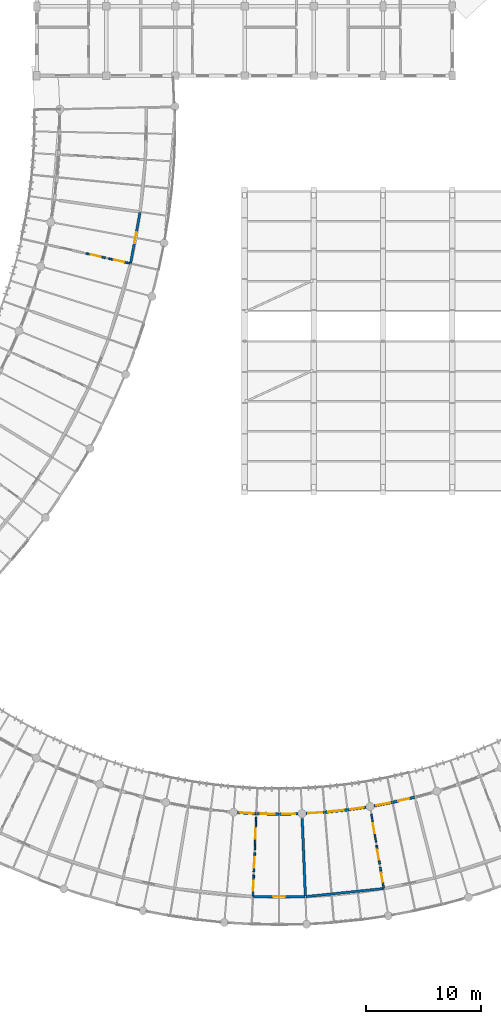
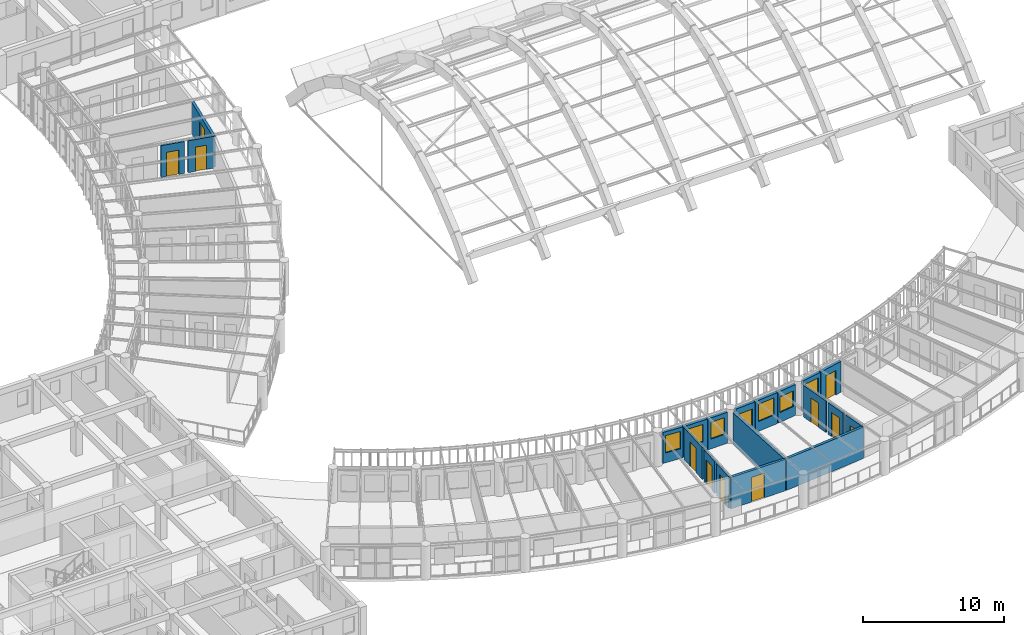
# One storey, part 81 of 123: 20 walls, 12 doors, 6 windows, 18 openings.
"""IFC4 building model written with IfcOpenShell, lengths in metres."""

from ifc_helpers import new_model, si_unit, direction, frame, frame_2d, origin, place, context, subcontext, project, spatial, rectangle, extrude, material, layer, layer_set, type_object, element, fill, save


model = new_model("IFC4")

# Units and contexts
model_context = context("Model", 3, precision=1e-05, world=origin(), true_north=direction((0.0, 1.0)))
body_context = subcontext(model_context, "Body", "Model", "MODEL_VIEW")
ifc_project = project(units=[si_unit("LENGTHUNIT", "METRE"), si_unit("AREAUNIT", "SQUARE_METRE"), si_unit("VOLUMEUNIT", "CUBIC_METRE"), si_unit("PLANEANGLEUNIT", "RADIAN"), si_unit("MASSUNIT", "GRAM", prefix="KILO"), si_unit("POWERUNIT", "WATT"), si_unit("THERMODYNAMICTEMPERATUREUNIT", "KELVIN")], contexts=[model_context])

# Site, building, storey
site_placement = place(None, origin())
site = spatial("IfcSite", under=ifc_project, at=site_placement, CompositionType="ELEMENT")
building_placement = place(site_placement, origin())
building = spatial("IfcBuilding", under=site, at=building_placement, Name="Ruvembo Vaulted Housing Court", CompositionType="ELEMENT")
storey_placement = place(building_placement, frame((0.0, 0.0, 7.699951171875)))
storey = spatial("IfcBuildingStorey", under=building, at=storey_placement, Name="L02", CompositionType="ELEMENT", Elevation=7.699951171875)

# Wall, opening, door
ifc_material_1 = material(Name="Concrete Blockwork 210", Category="masonry")
ifc_layer_1 = layer(ifc_material_1, 0.2099609375, Name="Concrete Blockwork 210")
ifc_layer_set_1 = layer_set([ifc_layer_1], Name="Concrete Blockwork 210")
wall_type_1 = type_object("IfcWallType", Name="WL-CORR-210", PredefinedType="SOLIDWALL", material=ifc_layer_set_1)
wall_1_placement = place(storey_placement, frame((56.131591796875, 61.759765625, 0.0), z_axis=(0.0, 0.0, 1.0), x_axis=(0.181159647639, 0.983453701029, 0.0)))
wall_1 = element("IfcWall", 1, at=wall_1_placement, inside=storey, type_object=wall_type_1, Name="L02 Suite SC1-L02-U3 Entrance WL-INT-L02-00695", PredefinedType="SOLIDWALL", context=body_context, shape_type="SweptSolid", body=[
    extrude(rectangle(XDim=4.467529296875, YDim=0.2099609375, at=frame_2d((2.23388671875, 0.0))), origin(), (0.0, 0.0, 1.0), 2.72216796875),
])
opening_1_placement = place(wall_1_placement, frame((1.74365234375, 0.0, 0.0)))
opening_1 = element("IfcOpeningElement", 2, at=opening_1_placement, cuts=wall_1, Name="Opening FD2", PredefinedType="OPENING", context=body_context, shape_type="SweptSolid", body=[
    extrude(rectangle(XDim=0.97998046875, YDim=2.14990234375, at=frame_2d((0.489990234375, 1.074951171875))), frame((0.0, 0.114990234375, 0.0), z_axis=(0.0, -1.0, 0.0), x_axis=(1.0, 0.0, 0.0)), (0.0, 0.0, 1.0), 0.22998046875),
])
ifc_material_2 = material(Name="FSC Hardwood and Engineered Timber", Category="wood")
door_type_1 = type_object("IfcDoorType", Name="DR-FLAT-0980x2150", OperationType="NOTDEFINED", PredefinedType="DOOR", material=ifc_material_2)
door_1_placement = place(opening_1_placement, origin())
door_1 = element("IfcDoor", 3, at=door_1_placement, inside=storey, type_object=door_type_1, Name="L02 Suite SC1-L02-U3 Entrance Door DR-INT-L02-00376", OperationType="SINGLE_SWING_RIGHT", OverallHeight=2.14990234375, OverallWidth=0.97998046875, PredefinedType="DOOR", context=body_context, shape_type="SweptSolid", body=[
    extrude(rectangle(XDim=0.97998046875, YDim=2.14990234375, at=frame_2d((0.489990234375, 1.074951171875))), frame((0.0, 0.02490234375, 0.0), z_axis=(0.0, -1.0, 0.0), x_axis=(1.0, 0.0, 0.0)), (0.0, 0.0, 1.0), 0.050048828125),
])
fill(opening_1, door_1)

wall_2_placement = place(storey_placement, frame((66.763427734375, 6.846923828125, 0.0), z_axis=(0.0, 0.0, 1.0), x_axis=(1.0, 0.0, 0.0)))
wall_2 = element("IfcWall", 4, at=wall_2_placement, inside=storey, type_object=wall_type_1, Name="L02 Suite SC2-L02-U3 Entrance WL-INT-L02-00718", PredefinedType="SOLIDWALL", context=body_context, shape_type="SweptSolid", body=[
    extrude(rectangle(XDim=4.47314453125, YDim=0.2099609375, at=frame_2d((2.236572265625, 0.0))), origin(), (0.0, 0.0, 1.0), 2.72216796875),
])
opening_2_placement = place(wall_2_placement, frame((1.71142578125, 0.0, 0.0)))
opening_2 = element("IfcOpeningElement", 5, at=opening_2_placement, cuts=wall_2, Name="Opening FD3", PredefinedType="OPENING", context=body_context, shape_type="SweptSolid", body=[
    extrude(rectangle(XDim=1.050048828125, YDim=2.14990234375, at=frame_2d((0.52490234375, 1.074951171875))), frame((0.0, 0.114990234375, 0.0), z_axis=(0.0, -1.0, 0.0), x_axis=(1.0, 0.0, 0.0)), (0.0, 0.0, 1.0), 0.22998046875),
])
door_type_2 = type_object("IfcDoorType", Name="DR-FLAT-1050x2150", OperationType="NOTDEFINED", PredefinedType="DOOR", material=ifc_material_2)
door_2_placement = place(opening_2_placement, origin())
door_2 = element("IfcDoor", 6, at=door_2_placement, inside=storey, type_object=door_type_2, Name="L02 Suite SC2-L02-U3 Entrance Door DR-INT-L02-00392", OperationType="SINGLE_SWING_RIGHT", OverallHeight=2.14990234375, OverallWidth=1.050048828125, PredefinedType="DOOR", context=body_context, shape_type="SweptSolid", body=[
    extrude(rectangle(XDim=1.050048828125, YDim=2.14990234375, at=frame_2d((0.52490234375, 1.074951171875))), frame((0.0, 0.02490234375, 0.0), z_axis=(0.0, -1.0, 0.0), x_axis=(1.0, 0.0, 0.0)), (0.0, 0.0, 1.0), 0.050048828125),
])
fill(opening_2, door_2)

# Walls
wall_3_placement = place(storey_placement, frame((71.31640625, 6.85107421875, 0.0), z_axis=(0.0, 0.0, 1.0), x_axis=(0.994686939686, 0.10294606364, 0.0)))
element("IfcWall", 7, at=wall_3_placement, inside=storey, type_object=wall_type_1, Name="L02 Suite SC2-L02-U4 Gallery Wall WL-INT-L02-00723", PredefinedType="SOLIDWALL", context=body_context, shape_type="SweptSolid", body=[
    extrude(rectangle(XDim=6.7470703125, YDim=0.2099609375, at=frame_2d((3.37353515625, 0.0))), origin(), (0.0, 0.0, 1.0), 2.72216796875),
])
ifc_material_3 = material(Name="Acoustic Masonry Demising 220", Category="masonry")
ifc_layer_2 = layer(ifc_material_3, 0.219970703125, Name="Acoustic Masonry Demising 220")
ifc_layer_set_2 = layer_set([ifc_layer_2], Name="Acoustic Masonry Demising 220")
wall_type_2 = type_object("IfcWallType", Name="WL-DEM-200", PredefinedType="SOLIDWALL", material=ifc_layer_set_2)
wall_4_placement = place(storey_placement, frame((70.9970703125, 13.6171875, 0.0), z_axis=(0.0, 0.0, 1.0), x_axis=(0.04124611243, -0.999149017019, 0.0)))
element("IfcWall", 8, at=wall_4_placement, inside=storey, type_object=wall_type_2, Name="L02 Suite SC2-L02-U3 Demising WL-INT-L02-00722", PredefinedType="SOLIDWALL", context=body_context, shape_type="SweptSolid", body=[
    extrude(rectangle(XDim=6.73583984375, YDim=0.219970703125, at=frame_2d((3.367919921875, 0.0))), origin(), (0.0, 0.0, 1.0), 2.741943359375),
])

# Wall, opening, window
ifc_material_4 = material(Name="Rendered Masonry 235", Category="masonry")
ifc_layer_3 = layer(ifc_material_4, 0.235107421875, Name="Rendered Masonry 235")
ifc_layer_set_3 = layer_set([ifc_layer_3], Name="Rendered Masonry 235")
wall_type_3 = type_object("IfcWallType", Name="WL-EXT-235", PredefinedType="STANDARD", material=ifc_layer_set_3)
wall_5_placement = place(storey_placement, frame((65.3935546875, 14.1416015625, 0.0), z_axis=(0.0, 0.0, 1.0), x_axis=(0.998084310064, -0.061868489594, 0.0)))
wall_5 = element("IfcWall", 9, at=wall_5_placement, inside=storey, type_object=wall_type_3, Name="Scoop SC2 L02 Concave Balcony Wall 12", PredefinedType="STANDARD", context=body_context, shape_type="SweptSolid", body=[
    extrude(rectangle(XDim=1.610107421875, YDim=0.235107421875, at=frame_2d((0.80517578125, 0.0))), origin(), (0.0, 0.0, 1.0), 2.68408203125),
])
opening_3_placement = place(wall_5_placement, frame((0.205078125, 0.0, 0.85009765625)))
opening_3 = element("IfcOpeningElement", 10, at=opening_3_placement, cuts=wall_5, Name="Opening W14", PredefinedType="OPENING", context=body_context, shape_type="SweptSolid", body=[
    extrude(rectangle(XDim=1.199951171875, YDim=1.5, at=frame_2d((0.60009765625, 0.75))), frame((0.0, 0.12744140625, 0.0), z_axis=(0.0, -1.0, 0.0), x_axis=(1.0, 0.0, 0.0)), (0.0, 0.0, 1.0), 0.255126953125),
])
ifc_material_5 = material(Name="Double Solar-Control Glazing in Aluminium Frame", Category="aluminium")
window_type_1 = type_object("IfcWindowType", Name="WIN-1200x1500", PartitioningType="SINGLE_PANEL", PredefinedType="WINDOW", material=ifc_material_5)
window_1_placement = place(opening_3_placement, origin())
window_1 = element("IfcWindow", 11, at=window_1_placement, inside=storey, type_object=window_type_1, Name="Scoop SC2 L02 Concave Window 12", OverallHeight=1.5, OverallWidth=1.199951171875, PartitioningType="SINGLE_PANEL", PredefinedType="WINDOW", context=body_context, shape_type="SweptSolid", body=[
    extrude(rectangle(XDim=1.199951171875, YDim=1.5, at=frame_2d((0.60009765625, 0.75))), frame((0.0, 0.030029296875, 0.0), z_axis=(0.0, -1.0, 0.0), x_axis=(1.0, 0.0, 0.0)), (0.0, 0.0, 1.0), 0.06005859375),
])
fill(opening_3, window_1)

wall_6_placement = place(storey_placement, frame((67.040283203125, 14.040283203125, 0.0), z_axis=(0.0, 0.0, 1.0), x_axis=(0.999789612304, -0.020511731505, 0.0)))
wall_6 = element("IfcWall", 12, at=wall_6_placement, inside=storey, type_object=wall_type_3, Name="Scoop SC2 L02 Concave Balcony Wall 13", PredefinedType="STANDARD", context=body_context, shape_type="SweptSolid", body=[
    extrude(rectangle(XDim=1.940185546875, YDim=0.235107421875, at=frame_2d((0.97021484375, 0.0))), origin(), (0.0, 0.0, 1.0), 2.68408203125),
])
opening_4_placement = place(wall_6_placement, frame((0.3701171875, 0.0, 0.85009765625)))
opening_4 = element("IfcOpeningElement", 13, at=opening_4_placement, cuts=wall_6, Name="Opening W14", PredefinedType="OPENING", context=body_context, shape_type="SweptSolid", body=[
    extrude(rectangle(XDim=1.199951171875, YDim=1.5, at=frame_2d((0.60009765625, 0.75))), frame((0.0, 0.12744140625, 0.0), z_axis=(0.0, -1.0, 0.0), x_axis=(1.0, 0.0, 0.0)), (0.0, 0.0, 1.0), 0.255126953125),
])
window_2_placement = place(opening_4_placement, origin())
window_2 = element("IfcWindow", 14, at=window_2_placement, inside=storey, type_object=window_type_1, Name="Scoop SC2 L02 Concave Window 13", OverallHeight=1.5, OverallWidth=1.199951171875, PartitioningType="SINGLE_PANEL", PredefinedType="WINDOW", context=body_context, shape_type="SweptSolid", body=[
    extrude(rectangle(XDim=1.199951171875, YDim=1.5, at=frame_2d((0.60009765625, 0.75))), frame((0.0, 0.030029296875, 0.0), z_axis=(0.0, -1.0, 0.0), x_axis=(1.0, 0.0, 0.0)), (0.0, 0.0, 1.0), 0.06005859375),
])
fill(opening_4, window_2)

wall_7_placement = place(storey_placement, frame((69.02001953125, 14.00048828125, 0.0), z_axis=(0.0, 0.0, 1.0), x_axis=(0.999787311946, 0.020623551407, 0.0)))
wall_7 = element("IfcWall", 15, at=wall_7_placement, inside=storey, type_object=wall_type_3, Name="Scoop SC2 L02 Concave Balcony Wall 14", PredefinedType="STANDARD", context=body_context, shape_type="SweptSolid", body=[
    extrude(rectangle(XDim=1.60986328125, YDim=0.235107421875, at=frame_2d((0.804931640625, 0.0))), origin(), (0.0, 0.0, 1.0), 2.68408203125),
])
opening_5_placement = place(wall_7_placement, frame((0.2548828125, 0.0, 0.85009765625)))
opening_5 = element("IfcOpeningElement", 16, at=opening_5_placement, cuts=wall_7, Name="Opening W10", PredefinedType="OPENING", context=body_context, shape_type="SweptSolid", body=[
    extrude(rectangle(XDim=1.10009765625, YDim=1.449951171875, at=frame_2d((0.550048828125, 0.72509765625))), frame((0.0, 0.12744140625, 0.0), z_axis=(0.0, -1.0, 0.0), x_axis=(1.0, 0.0, 0.0)), (0.0, 0.0, 1.0), 0.255126953125),
])
window_type_2 = type_object("IfcWindowType", Name="WIN-1100x1450", PartitioningType="SINGLE_PANEL", PredefinedType="WINDOW", material=ifc_material_5)
window_3_placement = place(opening_5_placement, origin())
window_3 = element("IfcWindow", 17, at=window_3_placement, inside=storey, type_object=window_type_2, Name="Scoop SC2 L02 Concave Window 14", OverallHeight=1.449951171875, OverallWidth=1.10009765625, PartitioningType="SINGLE_PANEL", PredefinedType="WINDOW", context=body_context, shape_type="SweptSolid", body=[
    extrude(rectangle(XDim=1.10009765625, YDim=1.449951171875, at=frame_2d((0.550048828125, 0.72509765625))), frame((0.0, 0.030029296875, 0.0), z_axis=(0.0, -1.0, 0.0), x_axis=(1.0, 0.0, 0.0)), (0.0, 0.0, 1.0), 0.06005859375),
])
fill(opening_5, window_3)

# Wall, opening, door
wall_8_placement = place(storey_placement, frame((71.328857421875, 14.0625, 0.0), z_axis=(0.0, 0.0, 1.0), x_axis=(0.998084310064, 0.061868489594, 0.0)))
wall_8 = element("IfcWall", 18, at=wall_8_placement, inside=storey, type_object=wall_type_3, Name="Scoop SC2 L02 Concave Balcony Wall 15", PredefinedType="STANDARD", context=body_context, shape_type="SweptSolid", body=[
    extrude(rectangle(XDim=1.610107421875, YDim=0.235107421875, at=frame_2d((0.80517578125, 0.0))), origin(), (0.0, 0.0, 1.0), 2.68408203125),
])
opening_6_placement = place(wall_8_placement, frame((0.205078125, 0.0, 0.0)))
opening_6 = element("IfcOpeningElement", 19, at=opening_6_placement, cuts=wall_8, Name="Opening BD2", PredefinedType="OPENING", context=body_context, shape_type="SweptSolid", body=[
    extrude(rectangle(XDim=1.199951171875, YDim=2.14990234375, at=frame_2d((0.60009765625, 1.074951171875))), frame((0.0, 0.12744140625, 0.0), z_axis=(0.0, -1.0, 0.0), x_axis=(1.0, 0.0, 0.0)), (0.0, 0.0, 1.0), 0.255126953125),
])
ifc_material_6 = material(Name="Thermally Broken Glazed Aluminium", Category="aluminium")
door_type_3 = type_object("IfcDoorType", Name="DR-BAL-1200x2150", OperationType="NOTDEFINED", PredefinedType="DOOR", material=ifc_material_6)
door_3_placement = place(opening_6_placement, origin())
door_3 = element("IfcDoor", 20, at=door_3_placement, inside=storey, type_object=door_type_3, Name="Scoop SC2 L02 Balcony Door 15", OperationType="SINGLE_SWING_RIGHT", OverallHeight=2.14990234375, OverallWidth=1.199951171875, PredefinedType="DOOR", context=body_context, shape_type="SweptSolid", body=[
    extrude(rectangle(XDim=1.199951171875, YDim=2.14990234375, at=frame_2d((0.60009765625, 1.074951171875))), frame((0.0, 0.02490234375, 0.0), z_axis=(0.0, -1.0, 0.0), x_axis=(1.0, 0.0, 0.0)), (0.0, 0.0, 1.0), 0.050048828125),
])
fill(opening_6, door_3)

# Wall, opening, window
wall_9_placement = place(storey_placement, frame((72.9755859375, 14.165283203125, 0.0), z_axis=(0.0, 0.0, 1.0), x_axis=(0.994688684624, 0.10292920228, 0.0)))
wall_9 = element("IfcWall", 21, at=wall_9_placement, inside=storey, type_object=wall_type_3, Name="Scoop SC2 L02 Concave Balcony Wall 16", PredefinedType="STANDARD", context=body_context, shape_type="SweptSolid", body=[
    extrude(rectangle(XDim=1.940185546875, YDim=0.235107421875, at=frame_2d((0.97021484375, 0.0))), origin(), (0.0, 0.0, 1.0), 2.68408203125),
])
opening_7_placement = place(wall_9_placement, frame((0.294921875, 0.0, 0.85009765625)))
opening_7 = element("IfcOpeningElement", 22, at=opening_7_placement, cuts=wall_9, Name="Opening W16", PredefinedType="OPENING", context=body_context, shape_type="SweptSolid", body=[
    extrude(rectangle(XDim=1.35009765625, YDim=1.5, at=frame_2d((0.675048828125, 0.75))), frame((0.0, 0.12744140625, 0.0), z_axis=(0.0, -1.0, 0.0), x_axis=(1.0, 0.0, 0.0)), (0.0, 0.0, 1.0), 0.255126953125),
])
window_type_3 = type_object("IfcWindowType", Name="WIN-1350x1500", PartitioningType="SINGLE_PANEL", PredefinedType="WINDOW", material=ifc_material_5)
window_4_placement = place(opening_7_placement, origin())
window_4 = element("IfcWindow", 23, at=window_4_placement, inside=storey, type_object=window_type_3, Name="Scoop SC2 L02 Concave Window 16", OverallHeight=1.5, OverallWidth=1.35009765625, PartitioningType="SINGLE_PANEL", PredefinedType="WINDOW", context=body_context, shape_type="SweptSolid", body=[
    extrude(rectangle(XDim=1.35009765625, YDim=1.5, at=frame_2d((0.675048828125, 0.75))), frame((0.0, 0.030029296875, 0.0), z_axis=(0.0, -1.0, 0.0), x_axis=(1.0, 0.0, 0.0)), (0.0, 0.0, 1.0), 0.06005859375),
])
fill(opening_7, window_4)

wall_10_placement = place(storey_placement, frame((74.945068359375, 14.3701171875, 0.0), z_axis=(0.0, 0.0, 1.0), x_axis=(0.98961312767, 0.143756243492, 0.0)))
wall_10 = element("IfcWall", 24, at=wall_10_placement, inside=storey, type_object=wall_type_3, Name="Scoop SC2 L02 Concave Balcony Wall 17", PredefinedType="STANDARD", context=body_context, shape_type="SweptSolid", body=[
    extrude(rectangle(XDim=1.60986328125, YDim=0.235107421875, at=frame_2d((0.804931640625, 0.0))), origin(), (0.0, 0.0, 1.0), 2.68408203125),
])
opening_8_placement = place(wall_10_placement, frame((0.205078125, 0.0, 0.85009765625)))
opening_8 = element("IfcOpeningElement", 25, at=opening_8_placement, cuts=wall_10, Name="Opening W12", PredefinedType="OPENING", context=body_context, shape_type="SweptSolid", body=[
    extrude(rectangle(XDim=1.199951171875, YDim=1.35009765625, at=frame_2d((0.60009765625, 0.675048828125))), frame((0.0, 0.12744140625, 0.0), z_axis=(0.0, -1.0, 0.0), x_axis=(1.0, 0.0, 0.0)), (0.0, 0.0, 1.0), 0.255126953125),
])
window_type_4 = type_object("IfcWindowType", Name="WIN-1200x1350", PartitioningType="SINGLE_PANEL", PredefinedType="WINDOW", material=ifc_material_5)
window_5_placement = place(opening_8_placement, origin())
window_5 = element("IfcWindow", 26, at=window_5_placement, inside=storey, type_object=window_type_4, Name="Scoop SC2 L02 Concave Window 17", OverallHeight=1.35009765625, OverallWidth=1.199951171875, PartitioningType="SINGLE_PANEL", PredefinedType="WINDOW", context=body_context, shape_type="SweptSolid", body=[
    extrude(rectangle(XDim=1.199951171875, YDim=1.35009765625, at=frame_2d((0.60009765625, 0.675048828125))), frame((0.0, 0.030029296875, 0.0), z_axis=(0.0, -1.0, 0.0), x_axis=(1.0, 0.0, 0.0)), (0.0, 0.0, 1.0), 0.06005859375),
])
fill(opening_8, window_5)

wall_11_placement = place(storey_placement, frame((77.228759765625, 14.716552734375, 0.0), z_axis=(0.0, 0.0, 1.0), x_axis=(0.982794848755, 0.184700528589, 0.0)))
wall_11 = element("IfcWall", 27, at=wall_11_placement, inside=storey, type_object=wall_type_3, Name="Scoop SC2 L02 Concave Balcony Wall 18", PredefinedType="STANDARD", context=body_context, shape_type="SweptSolid", body=[
    extrude(rectangle(XDim=1.60986328125, YDim=0.235107421875, at=frame_2d((0.804931640625, 0.0))), origin(), (0.0, 0.0, 1.0), 2.68408203125),
])
opening_9_placement = place(wall_11_placement, frame((0.205078125, 0.0, 0.85009765625)))
opening_9 = element("IfcOpeningElement", 28, at=opening_9_placement, cuts=wall_11, Name="Opening W13", PredefinedType="OPENING", context=body_context, shape_type="SweptSolid", body=[
    extrude(rectangle(XDim=1.199951171875, YDim=1.449951171875, at=frame_2d((0.60009765625, 0.72509765625))), frame((0.0, 0.12744140625, 0.0), z_axis=(0.0, -1.0, 0.0), x_axis=(1.0, 0.0, 0.0)), (0.0, 0.0, 1.0), 0.255126953125),
])
window_type_5 = type_object("IfcWindowType", Name="WIN-1200x1450", PartitioningType="SINGLE_PANEL", PredefinedType="WINDOW", material=ifc_material_5)
window_6_placement = place(opening_9_placement, origin())
window_6 = element("IfcWindow", 29, at=window_6_placement, inside=storey, type_object=window_type_5, Name="Scoop SC2 L02 Concave Window 18", OverallHeight=1.449951171875, OverallWidth=1.199951171875, PartitioningType="SINGLE_PANEL", PredefinedType="WINDOW", context=body_context, shape_type="SweptSolid", body=[
    extrude(rectangle(XDim=1.199951171875, YDim=1.449951171875, at=frame_2d((0.60009765625, 0.72509765625))), frame((0.0, 0.030029296875, 0.0), z_axis=(0.0, -1.0, 0.0), x_axis=(1.0, 0.0, 0.0)), (0.0, 0.0, 1.0), 0.06005859375),
])
fill(opening_9, window_6)

# Wall, opening, door
wall_12_placement = place(storey_placement, frame((78.85009765625, 15.02197265625, 0.0), z_axis=(0.0, 0.0, 1.0), x_axis=(0.974359373104, 0.224997360081, 0.0)))
wall_12 = element("IfcWall", 30, at=wall_12_placement, inside=storey, type_object=wall_type_3, Name="Scoop SC2 L02 Concave Balcony Wall 19", PredefinedType="STANDARD", context=body_context, shape_type="SweptSolid", body=[
    extrude(rectangle(XDim=1.940185546875, YDim=0.235107421875, at=frame_2d((0.97021484375, 0.0))), origin(), (0.0, 0.0, 1.0), 2.68408203125),
])
opening_10_placement = place(wall_12_placement, frame((0.4951171875, 0.0, 0.0)))
opening_10 = element("IfcOpeningElement", 31, at=opening_10_placement, cuts=wall_12, Name="Opening BD0", PredefinedType="OPENING", context=body_context, shape_type="SweptSolid", body=[
    extrude(rectangle(XDim=0.949951171875, YDim=2.1201171875, at=frame_2d((0.47509765625, 1.06005859375))), frame((0.0, 0.12744140625, 0.0), z_axis=(0.0, -1.0, 0.0), x_axis=(1.0, 0.0, 0.0)), (0.0, 0.0, 1.0), 0.255126953125),
])
door_type_4 = type_object("IfcDoorType", Name="DR-BAL-0950x2120", OperationType="NOTDEFINED", PredefinedType="DOOR", material=ifc_material_6)
door_4_placement = place(opening_10_placement, origin())
door_4 = element("IfcDoor", 32, at=door_4_placement, inside=storey, type_object=door_type_4, Name="Scoop SC2 L02 Balcony Door 19", OperationType="SINGLE_SWING_LEFT", OverallHeight=2.1201171875, OverallWidth=0.949951171875, PredefinedType="DOOR", context=body_context, shape_type="SweptSolid", body=[
    extrude(rectangle(XDim=0.949951171875, YDim=2.1201171875, at=frame_2d((0.47509765625, 1.06005859375))), frame((0.0, 0.02490234375, 0.0), z_axis=(0.0, -1.0, 0.0), x_axis=(1.0, 0.0, 0.0)), (0.0, 0.0, 1.0), 0.050048828125),
])
fill(opening_10, door_4)

ifc_material_7 = material(Name="Plasterboard Stud Partition 125", Category="gypsum")
ifc_layer_4 = layer(ifc_material_7, 0.125, Name="Plasterboard Stud Partition 125")
ifc_layer_set_4 = layer_set([ifc_layer_4], Name="Plasterboard Stud Partition 125")
wall_type_4 = type_object("IfcWallType", Name="WL-PART-125", PredefinedType="PARTITIONING", material=ifc_layer_set_4)
wall_13_placement = place(storey_placement, frame((67.0068359375, 13.712890625, 0.0), z_axis=(0.0, 0.0, 1.0), x_axis=(-0.041246071378, -0.999149018713, 0.0)))
wall_13 = element("IfcWall", 33, at=wall_13_placement, inside=storey, type_object=wall_type_4, Name="L02 Suite SC2-L02-U3 Bedroom WL-INT-L02-00719", PredefinedType="PARTITIONING", context=body_context, shape_type="SweptSolid", body=[
    extrude(rectangle(XDim=2.7998046875, YDim=0.125, at=frame_2d((1.39990234375, 0.0))), origin(), (0.0, 0.0, 1.0), 2.761962890625),
])
opening_11_placement = place(wall_13_placement, frame((0.9599609375, 0.0, 0.0)))
opening_11 = element("IfcOpeningElement", 34, at=opening_11_placement, cuts=wall_13, Name="Opening ID3", PredefinedType="OPENING", context=body_context, shape_type="SweptSolid", body=[
    extrude(rectangle(XDim=0.8798828125, YDim=2.10009765625, at=frame_2d((0.43994140625, 1.050048828125))), frame((0.0, 0.072509765625, 0.0), z_axis=(0.0, -1.0, 0.0), x_axis=(1.0, 0.0, 0.0)), (0.0, 0.0, 1.0), 0.14501953125),
])
door_type_5 = type_object("IfcDoorType", Name="DR-ROOM-0880x2100", OperationType="NOTDEFINED", PredefinedType="DOOR", material=ifc_material_2)
door_5_placement = place(opening_11_placement, origin())
door_5 = element("IfcDoor", 35, at=door_5_placement, inside=storey, type_object=door_type_5, Name="L02 Suite SC2-L02-U3 Bedroom Door DR-INT-L02-00393", OperationType="SINGLE_SWING_LEFT", OverallHeight=2.10009765625, OverallWidth=0.8798828125, PredefinedType="DOOR", context=body_context, shape_type="SweptSolid", body=[
    extrude(rectangle(XDim=0.8798828125, YDim=2.10009765625, at=frame_2d((0.43994140625, 1.050048828125))), frame((0.0, 0.02490234375, 0.0), z_axis=(0.0, -1.0, 0.0), x_axis=(1.0, 0.0, 0.0)), (0.0, 0.0, 1.0), 0.050048828125),
])
fill(opening_11, door_5)

wall_14_placement = place(storey_placement, frame((76.9912109375, 14.0126953125, 0.0), z_axis=(0.0, 0.0, 1.0), x_axis=(0.16420741421, -0.986425833562, 0.0)))
wall_14 = element("IfcWall", 36, at=wall_14_placement, inside=storey, type_object=wall_type_4, Name="L02 Suite SC2-L02-U4 Bedroom WL-INT-L02-00725", PredefinedType="PARTITIONING", context=body_context, shape_type="SweptSolid", body=[
    extrude(rectangle(XDim=2.47998046875, YDim=0.125, at=frame_2d((1.239990234375, 0.0))), origin(), (0.0, 0.0, 1.0), 2.741943359375),
])
opening_12_placement = place(wall_14_placement, frame((0.800048828125, 0.0, 0.0)))
opening_12 = element("IfcOpeningElement", 37, at=opening_12_placement, cuts=wall_14, Name="Opening ID3", PredefinedType="OPENING", context=body_context, shape_type="SweptSolid", body=[
    extrude(rectangle(XDim=0.8798828125, YDim=2.10009765625, at=frame_2d((0.43994140625, 1.050048828125))), frame((0.0, 0.072509765625, 0.0), z_axis=(0.0, -1.0, 0.0), x_axis=(1.0, 0.0, 0.0)), (0.0, 0.0, 1.0), 0.14501953125),
])
door_6_placement = place(opening_12_placement, origin())
door_6 = element("IfcDoor", 38, at=door_6_placement, inside=storey, type_object=door_type_5, Name="L02 Suite SC2-L02-U4 Bedroom Door DR-INT-L02-00397", OperationType="SINGLE_SWING_LEFT", OverallHeight=2.10009765625, OverallWidth=0.8798828125, PredefinedType="DOOR", context=body_context, shape_type="SweptSolid", body=[
    extrude(rectangle(XDim=0.8798828125, YDim=2.10009765625, at=frame_2d((0.43994140625, 1.050048828125))), frame((0.0, 0.02490234375, 0.0), z_axis=(0.0, -1.0, 0.0), x_axis=(1.0, 0.0, 0.0)), (0.0, 0.0, 1.0), 0.050048828125),
])
fill(opening_12, door_6)

ifc_material_8 = material(Name="Moisture-Resistant Wet Partition 150", Category="gypsum")
ifc_layer_5 = layer(ifc_material_8, 0.14990234375, Name="Moisture-Resistant Wet Partition 150")
ifc_layer_set_5 = layer_set([ifc_layer_5], Name="Moisture-Resistant Wet Partition 150")
wall_type_5 = type_object("IfcWallType", Name="WL-PART-150", PredefinedType="PARTITIONING", material=ifc_layer_set_5)
wall_15_placement = place(storey_placement, frame((54.213134765625, 62.154052734375, 0.0), z_axis=(0.0, 0.0, 1.0), x_axis=(0.975241417354, -0.221142890179, 0.0)))
wall_15 = element("IfcWall", 39, at=wall_15_placement, inside=storey, type_object=wall_type_5, Name="L02 Suite SC1-L02-U3 Bathroom WL-INT-L02-00698", PredefinedType="PARTITIONING", context=body_context, shape_type="SweptSolid", body=[
    extrude(rectangle(XDim=1.919921875, YDim=0.14990234375, at=frame_2d((0.9599609375, 0.0))), origin(), (0.0, 0.0, 1.0), 2.761962890625),
])
opening_13_placement = place(wall_15_placement, frame((0.534912109375, 0.0, 0.0)))
opening_13 = element("IfcOpeningElement", 40, at=opening_13_placement, cuts=wall_15, Name="Opening ID2", PredefinedType="OPENING", context=body_context, shape_type="SweptSolid", body=[
    extrude(rectangle(XDim=0.85009765625, YDim=2.10009765625, at=frame_2d((0.425048828125, 1.050048828125))), frame((0.0, 0.0849609375, 0.0), z_axis=(0.0, -1.0, 0.0), x_axis=(1.0, 0.0, 0.0)), (0.0, 0.0, 1.0), 0.169921875),
])
door_type_6 = type_object("IfcDoorType", Name="DR-WET-0850x2100", OperationType="NOTDEFINED", PredefinedType="DOOR", material=ifc_material_2)
door_7_placement = place(opening_13_placement, origin())
door_7 = element("IfcDoor", 41, at=door_7_placement, inside=storey, type_object=door_type_6, Name="L02 Suite SC1-L02-U3 Bathroom Door DR-INT-L02-00379", OperationType="SINGLE_SWING_LEFT", OverallHeight=2.10009765625, OverallWidth=0.85009765625, PredefinedType="DOOR", context=body_context, shape_type="SweptSolid", body=[
    extrude(rectangle(XDim=0.85009765625, YDim=2.10009765625, at=frame_2d((0.425048828125, 1.050048828125))), frame((0.0, 0.02490234375, 0.0), z_axis=(0.0, -1.0, 0.0), x_axis=(1.0, 0.0, 0.0)), (0.0, 0.0, 1.0), 0.050048828125),
])
fill(opening_13, door_7)

wall_16_placement = place(storey_placement, frame((66.801025390625, 8.725341796875, 0.0), z_axis=(0.0, 0.0, 1.0), x_axis=(-0.04126627959, -0.999148184289, 0.0)))
wall_16 = element("IfcWall", 42, at=wall_16_placement, inside=storey, type_object=wall_type_5, Name="L02 Suite SC2-L02-U3 Bathroom WL-INT-L02-00721", PredefinedType="PARTITIONING", context=body_context, shape_type="SweptSolid", body=[
    extrude(rectangle(XDim=1.83984375, YDim=0.14990234375, at=frame_2d((0.919921875, 0.0))), origin(), (0.0, 0.0, 1.0), 2.761962890625),
])
opening_14_placement = place(wall_16_placement, frame((0.4951171875, 0.0, 0.0)))
opening_14 = element("IfcOpeningElement", 43, at=opening_14_placement, cuts=wall_16, Name="Opening ID2", PredefinedType="OPENING", context=body_context, shape_type="SweptSolid", body=[
    extrude(rectangle(XDim=0.85009765625, YDim=2.10009765625, at=frame_2d((0.425048828125, 1.050048828125))), frame((0.0, 0.0849609375, 0.0), z_axis=(0.0, -1.0, 0.0), x_axis=(1.0, 0.0, 0.0)), (0.0, 0.0, 1.0), 0.169921875),
])
door_8_placement = place(opening_14_placement, origin())
door_8 = element("IfcDoor", 44, at=door_8_placement, inside=storey, type_object=door_type_6, Name="L02 Suite SC2-L02-U3 Bathroom Door DR-INT-L02-00395", OperationType="SINGLE_SWING_LEFT", OverallHeight=2.10009765625, OverallWidth=0.85009765625, PredefinedType="DOOR", context=body_context, shape_type="SweptSolid", body=[
    extrude(rectangle(XDim=0.85009765625, YDim=2.10009765625, at=frame_2d((0.425048828125, 1.050048828125))), frame((0.0, 0.02490234375, 0.0), z_axis=(0.0, -1.0, 0.0), x_axis=(1.0, 0.0, 0.0)), (0.0, 0.0, 1.0), 0.050048828125),
])
fill(opening_14, door_8)

wall_17_placement = place(storey_placement, frame((77.758544921875, 9.404296875, 0.0), z_axis=(0.0, 0.0, 1.0), x_axis=(0.164269882379, -0.986415432636, 0.0)))
wall_17 = element("IfcWall", 45, at=wall_17_placement, inside=storey, type_object=wall_type_5, Name="L02 Suite SC2-L02-U4 Bathroom WL-INT-L02-00727", PredefinedType="PARTITIONING", context=body_context, shape_type="SweptSolid", body=[
    extrude(rectangle(XDim=1.83984375, YDim=0.14990234375, at=frame_2d((0.919921875, 0.0))), origin(), (0.0, 0.0, 1.0), 2.741943359375),
])
opening_15_placement = place(wall_17_placement, frame((0.510009765625, 0.0, 0.0)))
opening_15 = element("IfcOpeningElement", 46, at=opening_15_placement, cuts=wall_17, Name="Opening ID4", PredefinedType="OPENING", context=body_context, shape_type="SweptSolid", body=[
    extrude(rectangle(XDim=0.820068359375, YDim=2.080078125, at=frame_2d((0.41015625, 1.0400390625))), frame((0.0, 0.0849609375, 0.0), z_axis=(0.0, -1.0, 0.0), x_axis=(1.0, 0.0, 0.0)), (0.0, 0.0, 1.0), 0.169921875),
])
door_type_7 = type_object("IfcDoorType", Name="DR-WET-0820x2080", OperationType="NOTDEFINED", PredefinedType="DOOR", material=ifc_material_2)
door_9_placement = place(opening_15_placement, origin())
door_9 = element("IfcDoor", 47, at=door_9_placement, inside=storey, type_object=door_type_7, Name="L02 Suite SC2-L02-U4 Bathroom Door DR-INT-L02-00399", OperationType="SINGLE_SWING_LEFT", OverallHeight=2.080078125, OverallWidth=0.820068359375, PredefinedType="DOOR", context=body_context, shape_type="SweptSolid", body=[
    extrude(rectangle(XDim=0.820068359375, YDim=2.080078125, at=frame_2d((0.41015625, 1.0400390625))), frame((0.0, 0.02490234375, 0.0), z_axis=(0.0, -1.0, 0.0), x_axis=(1.0, 0.0, 0.0)), (0.0, 0.0, 1.0), 0.050048828125),
])
fill(opening_15, door_9)

ifc_material_9 = material(Name="Acoustic Service Chase Wall 160", Category="gypsum")
ifc_layer_6 = layer(ifc_material_9, 0.159912109375, Name="Acoustic Service Chase Wall 160")
ifc_layer_set_6 = layer_set([ifc_layer_6], Name="Acoustic Service Chase Wall 160")
wall_type_6 = type_object("IfcWallType", Name="WL-PLUMB-160", PredefinedType="PLUMBINGWALL", material=ifc_layer_set_6)
wall_18_placement = place(storey_placement, frame((52.2626953125, 62.5966796875, 0.0), z_axis=(0.0, 0.0, 1.0), x_axis=(0.97521226366, -0.221271418868, 0.0)))
wall_18 = element("IfcWall", 48, at=wall_18_placement, inside=storey, type_object=wall_type_6, Name="L02 Suite SC1-L02-U3 Kitchen WL-INT-L02-00697", PredefinedType="PLUMBINGWALL", context=body_context, shape_type="SweptSolid", body=[
    extrude(rectangle(XDim=1.72021484375, YDim=0.159912109375, at=frame_2d((0.860107421875, 0.0))), origin(), (0.0, 0.0, 1.0), 2.761962890625),
])
opening_16_placement = place(wall_18_placement, frame((0.409912109375, 0.0, 0.0)))
opening_16 = element("IfcOpeningElement", 49, at=opening_16_placement, cuts=wall_18, Name="Opening ID1", PredefinedType="OPENING", context=body_context, shape_type="SweptSolid", body=[
    extrude(rectangle(XDim=0.89990234375, YDim=2.10009765625, at=frame_2d((0.449951171875, 1.050048828125))), frame((0.0, 0.08984375, 0.0), z_axis=(0.0, -1.0, 0.0), x_axis=(1.0, 0.0, 0.0)), (0.0, 0.0, 1.0), 0.179931640625),
])
door_type_8 = type_object("IfcDoorType", Name="DR-ROOM-0900x2100", OperationType="NOTDEFINED", PredefinedType="DOOR", material=ifc_material_2)
door_10_placement = place(opening_16_placement, origin())
door_10 = element("IfcDoor", 50, at=door_10_placement, inside=storey, type_object=door_type_8, Name="L02 Suite SC1-L02-U3 Kitchen Door DR-INT-L02-00378", OperationType="SINGLE_SWING_RIGHT", OverallHeight=2.10009765625, OverallWidth=0.89990234375, PredefinedType="DOOR", context=body_context, shape_type="SweptSolid", body=[
    extrude(rectangle(XDim=0.89990234375, YDim=2.10009765625, at=frame_2d((0.449951171875, 1.050048828125))), frame((0.0, 0.02490234375, 0.0), z_axis=(0.0, -1.0, 0.0), x_axis=(1.0, 0.0, 0.0)), (0.0, 0.0, 1.0), 0.050048828125),
])
fill(opening_16, door_10)

wall_19_placement = place(storey_placement, frame((66.880126953125, 10.643798828125, 0.0), z_axis=(0.0, 0.0, 1.0), x_axis=(-0.04118075259, -0.999151713013, 0.0)))
wall_19 = element("IfcWall", 51, at=wall_19_placement, inside=storey, type_object=wall_type_6, Name="L02 Suite SC2-L02-U3 Kitchen WL-INT-L02-00720", PredefinedType="PLUMBINGWALL", context=body_context, shape_type="SweptSolid", body=[
    extrude(rectangle(XDim=1.648193359375, YDim=0.159912109375, at=frame_2d((0.82421875, 0.0))), origin(), (0.0, 0.0, 1.0), 2.761962890625),
])
opening_17_placement = place(wall_19_placement, frame((0.3740234375, 0.0, 0.0)))
opening_17 = element("IfcOpeningElement", 52, at=opening_17_placement, cuts=wall_19, Name="Opening ID1", PredefinedType="OPENING", context=body_context, shape_type="SweptSolid", body=[
    extrude(rectangle(XDim=0.89990234375, YDim=2.10009765625, at=frame_2d((0.449951171875, 1.050048828125))), frame((0.0, 0.08984375, 0.0), z_axis=(0.0, -1.0, 0.0), x_axis=(1.0, 0.0, 0.0)), (0.0, 0.0, 1.0), 0.179931640625),
])
door_11_placement = place(opening_17_placement, origin())
door_11 = element("IfcDoor", 53, at=door_11_placement, inside=storey, type_object=door_type_8, Name="L02 Suite SC2-L02-U3 Kitchen Door DR-INT-L02-00394", OperationType="SINGLE_SWING_RIGHT", OverallHeight=2.10009765625, OverallWidth=0.89990234375, PredefinedType="DOOR", context=body_context, shape_type="SweptSolid", body=[
    extrude(rectangle(XDim=0.89990234375, YDim=2.10009765625, at=frame_2d((0.449951171875, 1.050048828125))), frame((0.0, 0.02490234375, 0.0), z_axis=(0.0, -1.0, 0.0), x_axis=(1.0, 0.0, 0.0)), (0.0, 0.0, 1.0), 0.050048828125),
])
fill(opening_17, door_11)

wall_20_placement = place(storey_placement, frame((77.443359375, 11.298095703125, 0.0), z_axis=(0.0, 0.0, 1.0), x_axis=(0.164158726706, -0.986433937193, 0.0)))
wall_20 = element("IfcWall", 54, at=wall_20_placement, inside=storey, type_object=wall_type_6, Name="L02 Suite SC2-L02-U4 Kitchen WL-INT-L02-00726", PredefinedType="PLUMBINGWALL", context=body_context, shape_type="SweptSolid", body=[
    extrude(rectangle(XDim=1.64794921875, YDim=0.159912109375, at=frame_2d((0.823974609375, 0.0))), origin(), (0.0, 0.0, 1.0), 2.741943359375),
])
opening_18_placement = place(wall_20_placement, frame((0.373779296875, 0.0, 0.0)))
opening_18 = element("IfcOpeningElement", 55, at=opening_18_placement, cuts=wall_20, Name="Opening ID1", PredefinedType="OPENING", context=body_context, shape_type="SweptSolid", body=[
    extrude(rectangle(XDim=0.89990234375, YDim=2.10009765625, at=frame_2d((0.449951171875, 1.050048828125))), frame((0.0, 0.08984375, 0.0), z_axis=(0.0, -1.0, 0.0), x_axis=(1.0, 0.0, 0.0)), (0.0, 0.0, 1.0), 0.179931640625),
])
door_12_placement = place(opening_18_placement, origin())
door_12 = element("IfcDoor", 56, at=door_12_placement, inside=storey, type_object=door_type_8, Name="L02 Suite SC2-L02-U4 Kitchen Door DR-INT-L02-00398", OperationType="SINGLE_SWING_RIGHT", OverallHeight=2.10009765625, OverallWidth=0.89990234375, PredefinedType="DOOR", context=body_context, shape_type="SweptSolid", body=[
    extrude(rectangle(XDim=0.89990234375, YDim=2.10009765625, at=frame_2d((0.449951171875, 1.050048828125))), frame((0.0, 0.02490234375, 0.0), z_axis=(0.0, -1.0, 0.0), x_axis=(1.0, 0.0, 0.0)), (0.0, 0.0, 1.0), 0.050048828125),
])
fill(opening_18, door_12)

save(model, "model.ifc")
